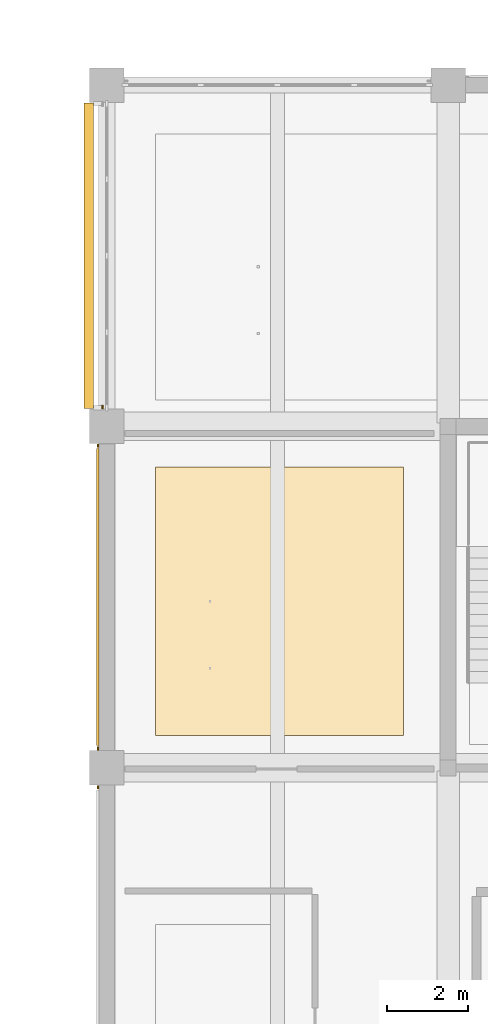
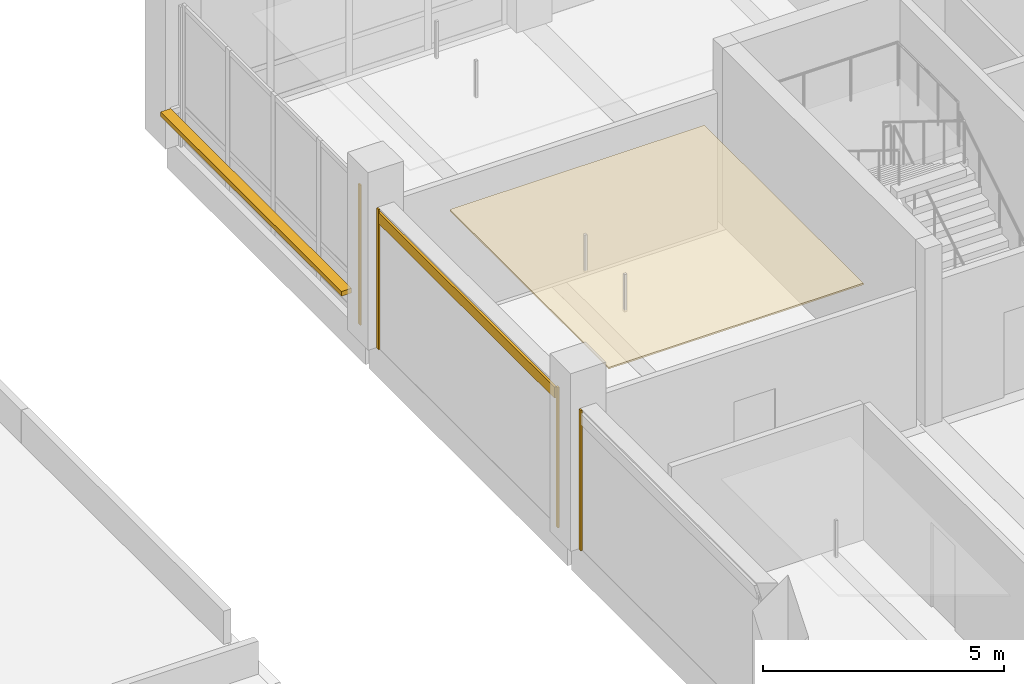
# One storey, part 28 of 39: 6 coverings, 1 shading device.
"""IFC4 building model written with IfcOpenShell, lengths in metres."""

from ifc_helpers import new_model, si_unit, direction, frame, origin, origin_2d, place, context, subcontext, project, spatial, polyline, rectangle, outline, extrude, material, layer, layer_set, type_object, element, save


model = new_model("IFC4")

# Units and contexts
model_context = context("Model", 3, precision=1e-05, world=origin(), true_north=direction((0.0, 1.0)))
body_context = subcontext(model_context, "Body", "Model", "MODEL_VIEW")
ifc_project = project(units=[si_unit("LENGTHUNIT", "METRE"), si_unit("AREAUNIT", "SQUARE_METRE"), si_unit("VOLUMEUNIT", "CUBIC_METRE"), si_unit("PLANEANGLEUNIT", "RADIAN"), si_unit("MASSUNIT", "GRAM", prefix="KILO")], contexts=[model_context])

# Site, building, storey
site_placement = place(None, origin())
site = spatial("IfcSite", under=ifc_project, at=site_placement, CompositionType="ELEMENT")
building_placement = place(site_placement, origin())
building = spatial("IfcBuilding", under=site, at=building_placement, Name="Telukmera Botanical Conservatory", CompositionType="ELEMENT")
storey_placement = place(building_placement, frame((0.0, 0.0, 19.5)))
storey = spatial("IfcBuildingStorey", under=building, at=storey_placement, Name="L04", CompositionType="ELEMENT", Elevation=19.5)

# Coverings
ifc_material_1 = material(Name="Perforated gypsum acoustic ceiling")
ifc_layer_1 = layer(ifc_material_1, 0.0400390625)
ifc_layer_set_1 = layer_set([ifc_layer_1], Name="Perforated gypsum acoustic ceiling")
covering_type_1 = type_object("IfcCoveringType", Name="COV-CEIL-40", PredefinedType="CEILING", material=ifc_layer_set_1)
covering_1_placement = place(storey_placement, frame((0.0, 0.0, 3.31005859375)))
element("IfcCovering", 1, at=covering_1_placement, inside=storey, type_object=covering_type_1, Name="L04 Fern Taxonomy Curation Studio Suspended Acoustic Ceiling", PredefinedType="CEILING", context=body_context, shape_type="SweptSolid", body=[
    extrude(outline(polyline([(51.60009765625, 26.800048828125), (57.699951171875, 26.800048828125), (57.699951171875, 33.39990234375), (51.60009765625, 33.39990234375), (51.60009765625, 26.800048828125)])), origin(), (0.0, 0.0, 1.0), 0.0400390625),
])
ifc_material_2 = material(Name="Granite-faced precast concrete C40/50", Category="masonry")
ifc_layer_2 = layer(ifc_material_2, 0.0400390625)
ifc_layer_set_2 = layer_set([ifc_layer_2], Name="Granite-faced precast concrete C40/50")
covering_type_2 = type_object("IfcCoveringType", Name="Granite Precast Column Pier Reveal Casing", PredefinedType="CLADDING", material=ifc_layer_set_2)
for number, where, z_axis, x_axis, name in (
    (2, (50.18994140625, 25.52294921875, 0.0), (0.0, 0.0, 1.0), (0.0, 1.0, 0.0), "Granite Pier Reveal V4:L04:W2 R"),
    (3, (50.18994140625, 26.47705078125, 0.0), (0.0, 0.0, 1.0), (0.0, 1.0, 0.0), "Granite Pier Reveal V4:L04:W3 L"),
    (4, (50.18994140625, 33.923095703125, 0.0), (0.0, 0.0, 1.0), (0.0, 1.0, 0.0), "Granite Pier Reveal V4:L04:W3 R"),
    (5, (50.300048828125, 34.876953125, 0.0), (0.0, 0.0, 1.0), (0.0, 1.0, 0.0), "Granite Pier Reveal V4:L04:W4 L"),
):
    element("IfcCovering", number, at=place(storey_placement, frame(where, z_axis=z_axis, x_axis=x_axis)), inside=storey, type_object=covering_type_2, Name=name, PredefinedType="CLADDING", context=body_context, shape_type="SweptSolid", body=[
        extrude(rectangle(XDim=0.080078125, YDim=0.0400390625, at=origin_2d()), origin(), (0.0, 0.0, 1.0), 3.550048828125),
    ])

# Shading device
ifc_material_3 = material(Name="Perforated terracotta-anodised aluminium 6063-T6", Category="masonry")
ifc_layer_3 = layer(ifc_material_3, 0.044921875)
ifc_layer_set_3 = layer_set([ifc_layer_3], Name="Perforated terracotta-anodised aluminium 6063-T6")
shading_device_type = type_object("IfcShadingDeviceType", Name="Perforated Terracotta Aluminium Monsoon Brise Soleil", PredefinedType="JALOUSIE", material=ifc_layer_set_3)
shading_device_placement = place(storey_placement, frame((49.9599609375, 38.60009765625, 0.889892578125), z_axis=(0.0, 0.0, 1.0), x_axis=(0.0, 1.0, 0.0)))
element("IfcShadingDevice", 6, at=shading_device_placement, inside=storey, type_object=shading_device_type, Name="Monsoon Shading BS01 V4:L04:W4", PredefinedType="JALOUSIE", context=body_context, shape_type="SweptSolid", body=[
    extrude(rectangle(XDim=7.506103515625, YDim=0.239990234375, at=origin_2d()), origin(), (0.0, 0.0, 1.0), 0.1201171875),
])

# Covering
ifc_material_4 = material(Name="Terracotta-faced precast concrete C40/50", Category="masonry")
ifc_layer_4 = layer(ifc_material_4, 0.06005859375)
ifc_layer_set_4 = layer_set([ifc_layer_4], Name="Terracotta-faced precast concrete C40/50")
covering_type_3 = type_object("IfcCoveringType", Name="Polychrome Terracotta Facade Band Cladding", PredefinedType="CLADDING", material=ifc_layer_set_4)
covering_2_placement = place(storey_placement, frame((50.179931640625, 30.199951171875, 3.22998046875), z_axis=(0.0, 0.0, 1.0), x_axis=(0.0, 1.0, 0.0)))
element("IfcCovering", 7, at=covering_2_placement, inside=storey, type_object=covering_type_3, Name="Polychrome Terracotta Band V4:L04:W3", PredefinedType="CLADDING", context=body_context, shape_type="SweptSolid", body=[
    extrude(rectangle(XDim=7.305908203125, YDim=0.06005859375, at=origin_2d()), origin(), (0.0, 0.0, 1.0), 0.280029296875),
])

save(model, "model.ifc")
